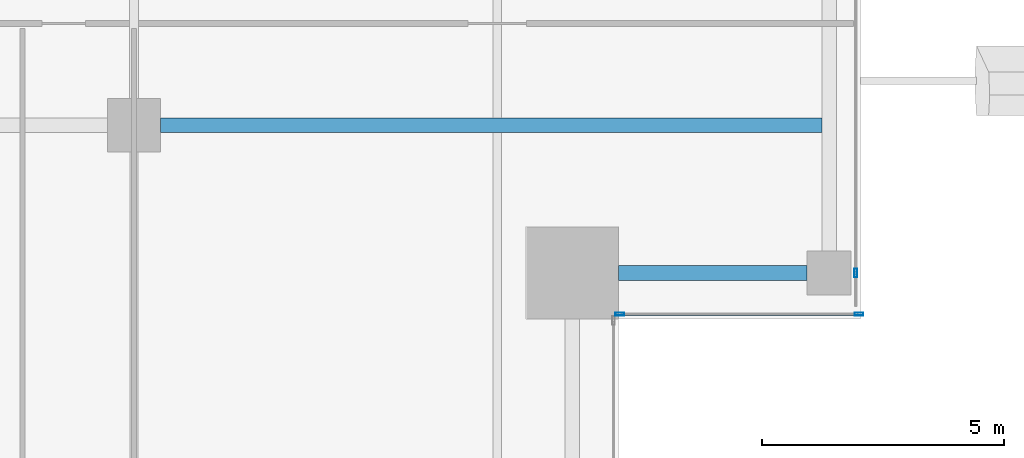
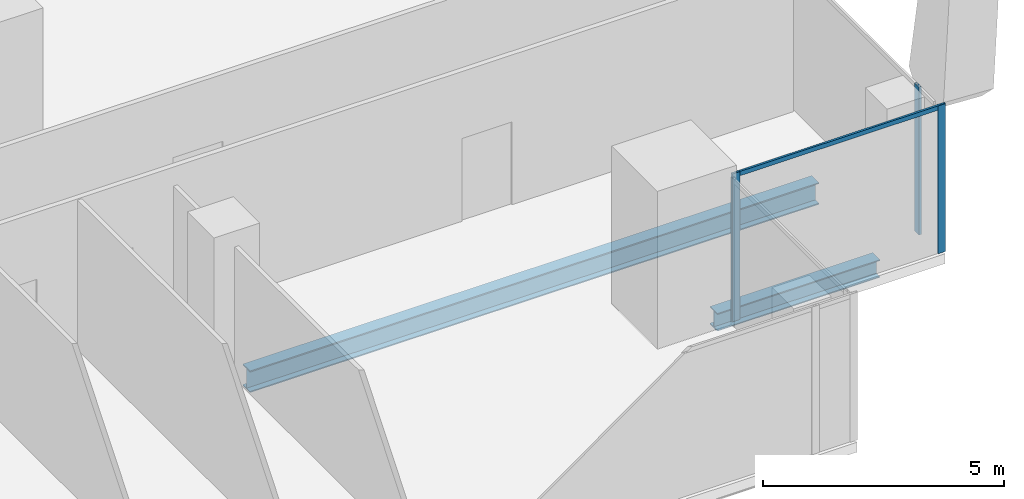
# One storey, part 9 of 35: 4 members, 2 beams, 2 elements without a shape of their own.
"""IFC4 building model written with IfcOpenShell, lengths in metres."""

from ifc_helpers import new_model, si_unit, direction, frame, origin, origin_2d, place, context, subcontext, project, spatial, hollow_rectangle, i_section, extrude, source, transform, mapped, material, material_profile, profile_set, type_object, element, aggregate, save


model = new_model("IFC4")

# Units and contexts
model_context = context("Model", 3, precision=1e-05, world=origin(), true_north=direction((0.0, 1.0)))
body_context = subcontext(model_context, "Body", "Model", "MODEL_VIEW")
ifc_project = project(units=[si_unit("LENGTHUNIT", "METRE"), si_unit("AREAUNIT", "SQUARE_METRE"), si_unit("VOLUMEUNIT", "CUBIC_METRE"), si_unit("PLANEANGLEUNIT", "RADIAN"), si_unit("MASSUNIT", "GRAM", prefix="KILO")], contexts=[model_context])

# Site, building, storey
site_placement = place(None, origin())
site = spatial("IfcSite", under=ifc_project, at=site_placement, CompositionType="ELEMENT")
building_placement = place(site_placement, origin())
building = spatial("IfcBuilding", under=site, at=building_placement, Name="Khomas Fold Tower", CompositionType="ELEMENT")
storey_placement = place(building_placement, frame((0.0, 0.0, 250.199951171875)))
storey = spatial("IfcBuildingStorey", under=building, at=storey_placement, Name="L56", CompositionType="ELEMENT", Elevation=250.199951171875)

# Beams
ifc_material_1 = material(Name="Steel S355", Category="steel")
ifc_material_profile_1 = material_profile(ifc_material_1, i_section(OverallWidth=0.300048828125, OverallDepth=0.449951171875, WebThickness=0.013916015625, FlangeThickness=0.02587890625, at=origin_2d()), Name="HE 450 B")
ifc_profile_set_1 = profile_set([ifc_material_profile_1], Name="Steel S355")
beam_type_1 = type_object("IfcBeamType", Name="HE 450 B spandrel SB4", PredefinedType="SPANDREL", material=ifc_profile_set_1)
shared_shape_1 = source(origin(), body_context, "Body", "SweptSolid", [
    extrude(i_section(OverallWidth=0.300048828125, OverallDepth=0.449951171875, WebThickness=0.013916015625, FlangeThickness=0.02587890625, at=origin_2d()), origin(), (0.0, 0.0, 1.0), 3.89990234375),
])
beam_1_placement = place(storey_placement, frame((44.5, 10.449951171875, -0.474853515625), z_axis=(1.0, 0.0, 0.0), x_axis=(0.0, 1.0, 0.0)))
element("IfcBeam", 1, at=beam_1_placement, inside=storey, type_object=beam_type_1, Name="SB4", PredefinedType="SPANDREL", context=body_context, shape_type="MappedRepresentation", body=[
    mapped(shared_shape_1, transform((0.0, 0.0, 0.0))),
])
ifc_material_2 = material(Name="Steel S355", Category="steel")
ifc_material_profile_2 = material_profile(ifc_material_2, i_section(OverallWidth=0.300048828125, OverallDepth=0.550048828125, WebThickness=0.014892578125, FlangeThickness=0.029052734375, at=origin_2d()), Name="HE 550 B")
ifc_profile_set_2 = profile_set([ifc_material_profile_2], Name="Steel S355")
beam_type_2 = type_object("IfcBeamType", Name="HE 550 B beam GB4", PredefinedType="BEAM", material=ifc_profile_set_2)
shared_shape_2 = source(origin(), body_context, "Body", "SweptSolid", [
    extrude(i_section(OverallWidth=0.300048828125, OverallDepth=0.550048828125, WebThickness=0.014892578125, FlangeThickness=0.029052734375, at=origin_2d()), origin(), (0.0, 0.0, 1.0), 13.64990234375),
])
beam_2_placement = place(storey_placement, frame((35.050048828125, 13.5, -0.52490234375), z_axis=(1.0, 0.0, 0.0), x_axis=(0.0, 1.0, 0.0)))
element("IfcBeam", 2, at=beam_2_placement, inside=storey, type_object=beam_type_2, Name="GB4", PredefinedType="BEAM", context=body_context, shape_type="MappedRepresentation", body=[
    mapped(shared_shape_2, transform((0.0, 0.0, 0.0))),
])

# Curtain wall, members
ifc_material_3 = material(Name="Aluminium framed double glazing", Category="aluminium")
curtain_wall_type = type_object("IfcCurtainWallType", Name="SK-Unitised clear-glass wall, office floors CW2", PredefinedType="NOTDEFINED", material=ifc_material_3)
curtain_wall_1_placement = place(storey_placement, origin())
curtain_wall_1 = element("IfcCurtainWall", 3, at=curtain_wall_1_placement, inside=storey, type_object=curtain_wall_type, Name="CW2 corner return L56 02", PredefinedType="NOTDEFINED")
ifc_material_4 = material(Name="Aluminium", Category="aluminium")
ifc_material_profile_3 = material_profile(ifc_material_4, hollow_rectangle(XDim=0.06005859375, YDim=0.179931640625, WallThickness=0.00390625, at=origin_2d()), Name="SK-Unitised clear-glass wall, office floors mullion CW2-M")
ifc_profile_set_3 = profile_set([ifc_material_profile_3], Name="Aluminium")
member_type_1 = type_object("IfcMemberType", Name="SK-Unitised clear-glass wall, office floors mullion CW2-M", PredefinedType="MULLION", material=ifc_profile_set_3)
shared_shape_3 = source(origin(), body_context, "Body", "SweptSolid", [
    extrude(hollow_rectangle(XDim=0.06005859375, YDim=0.179931640625, WallThickness=0.00390625, at=origin_2d()), origin(), (0.0, 0.0, 1.0), 3.75),
])
member_1_placement = place(storey_placement, frame((44.530029296875, 9.60009765625, 0.0), z_axis=(0.0, 0.0, 1.0), x_axis=(0.0, 1.0, 0.0)))
member_1 = element("IfcMember", 4, at=member_1_placement, type_object=member_type_1, Name="CW2 mullion 1", PredefinedType="MULLION", context=body_context, shape_type="MappedRepresentation", body=[
    mapped(shared_shape_3, transform((0.0, 0.0, 0.0))),
])
member_2_placement = place(storey_placement, frame((49.469970703125, 9.60009765625, 0.0), z_axis=(0.0, 0.0, 1.0), x_axis=(0.0, 1.0, 0.0)))
member_2 = element("IfcMember", 5, at=member_2_placement, type_object=member_type_1, Name="CW2 mullion 2", PredefinedType="MULLION", context=body_context, shape_type="MappedRepresentation", body=[
    mapped(shared_shape_3, transform((0.0, 0.0, 0.0))),
])

# Curtain wall, member
curtain_wall_2_placement = place(storey_placement, origin())
curtain_wall_2 = element("IfcCurtainWall", 6, at=curtain_wall_2_placement, inside=storey, type_object=curtain_wall_type, Name="CW2 run L56 03-0", PredefinedType="NOTDEFINED")
member_3_placement = place(storey_placement, frame((49.39990234375, 10.449951171875, 0.0), z_axis=(0.0, 0.0, 1.0), x_axis=(-1.0, 0.0, 0.0)))
member_3 = element("IfcMember", 7, at=member_3_placement, type_object=member_type_1, Name="CW2 mullion 2", PredefinedType="MULLION", context=body_context, shape_type="MappedRepresentation", body=[
    mapped(shared_shape_3, transform((0.0, 0.0, 0.0))),
])
aggregate(curtain_wall_2, [member_3])

# Member
ifc_material_5 = material(Name="Aluminium", Category="aluminium")
ifc_material_profile_4 = material_profile(ifc_material_5, hollow_rectangle(XDim=0.050048828125, YDim=0.110107421875, WallThickness=0.00390625, at=origin_2d()), Name="SK-Unitised clear-glass wall, office floors transom CW2-T")
ifc_profile_set_4 = profile_set([ifc_material_profile_4], Name="Aluminium")
member_type_2 = type_object("IfcMemberType", Name="SK-Unitised clear-glass wall, office floors transom CW2-T", PredefinedType="USERDEFINED", material=ifc_profile_set_4)
shared_shape_4 = source(origin(), body_context, "Body", "SweptSolid", [
    extrude(hollow_rectangle(XDim=0.050048828125, YDim=0.110107421875, WallThickness=0.00390625, at=origin_2d()), origin(), (0.0, 0.0, 1.0), 4.8798828125),
])
member_4_placement = place(storey_placement, frame((44.56005859375, 9.60009765625, 3.695068359375), z_axis=(1.0, 0.0, 0.0), x_axis=(0.0, 1.0, 0.0)))
member_4 = element("IfcMember", 8, at=member_4_placement, type_object=member_type_2, Name="CW2 transom 1", ObjectType="TRANSOM", PredefinedType="USERDEFINED", context=body_context, shape_type="MappedRepresentation", body=[
    mapped(shared_shape_4, transform((0.0, 0.0, 0.0))),
])

aggregate(curtain_wall_1, [member_1, member_2, member_4])

save(model, "model.ifc")
